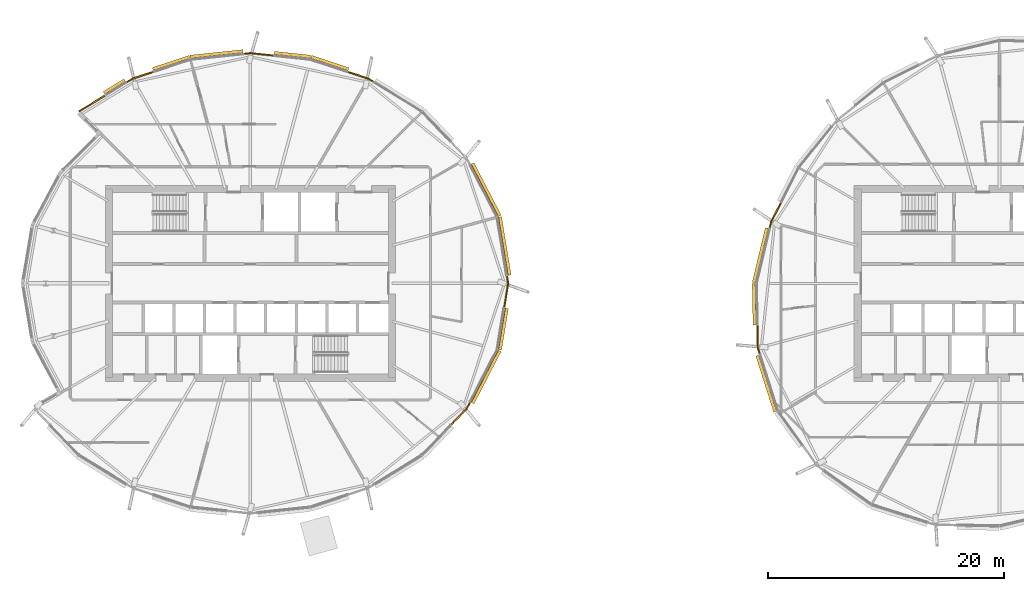
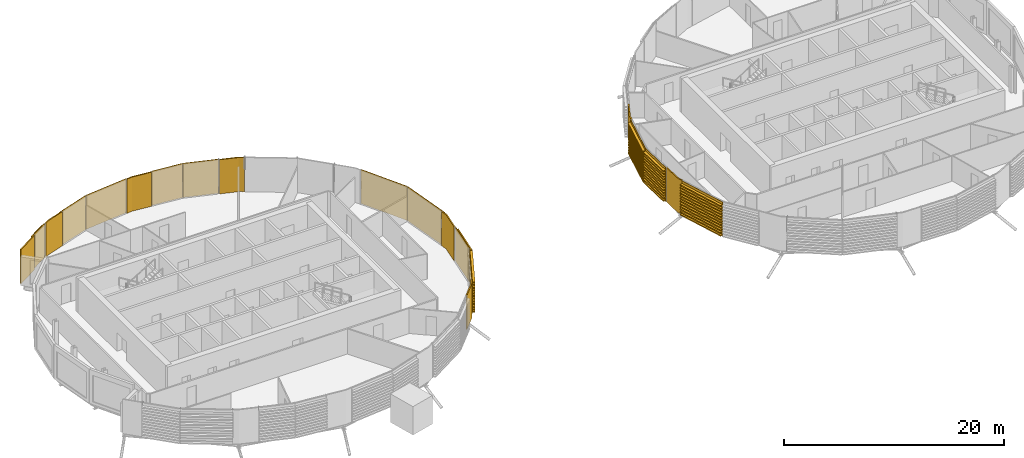
# One storey, part 35 of 38: 20 coverings.
"""IFC4 building model written with IfcOpenShell, lengths in metres."""

from ifc_helpers import new_model, si_unit, direction, frame, origin, place, context, subcontext, project, spatial, polyline, outline, extrude, material, layer, layer_set, material_profile, profile_set, type_object, element, save


model = new_model("IFC4")

# Units and contexts
model_context = context("Model", 3, precision=1e-05, world=origin(), true_north=direction((0.0, 1.0)))
body_context = subcontext(model_context, "Body", "Model", "MODEL_VIEW")
ifc_project = project(units=[si_unit("LENGTHUNIT", "METRE"), si_unit("AREAUNIT", "SQUARE_METRE"), si_unit("VOLUMEUNIT", "CUBIC_METRE"), si_unit("PLANEANGLEUNIT", "RADIAN"), si_unit("MASSUNIT", "GRAM", prefix="KILO")], contexts=[model_context])

# Site, building, storey
site_placement = place(None, origin())
site = spatial("IfcSite", under=ifc_project, at=site_placement, CompositionType="ELEMENT")
building_placement = place(site_placement, origin())
building = spatial("IfcBuilding", under=site, at=building_placement, Name="Rimbun Link Towers", CompositionType="ELEMENT")
storey_placement = place(building_placement, frame((0.0, 0.0, 185.5)))
storey = spatial("IfcBuildingStorey", under=building, at=storey_placement, Name="L45", CompositionType="ELEMENT", Elevation=185.5)

# Coverings
ifc_material_1 = material(Name="Terracotta", Category="masonry")
ifc_layer = layer(ifc_material_1, 0.1201171875)
ifc_layer_set = layer_set([ifc_layer], Name="LINK PIER terracotta cladding 120")
covering_type_1 = type_object("IfcCoveringType", Name="LINK PIER terracotta cladding 120", PredefinedType="CLADDING", material=ifc_layer_set)
covering_1_placement = place(storey_placement, origin())
element("IfcCovering", 1, at=covering_1_placement, inside=storey, type_object=covering_type_1, Name="LINK PIER cladding", PredefinedType="CLADDING", context=body_context, shape_type="SweptSolid", body=[
    extrude(outline(polyline([(-10.049560546875, 0.61181640625), (-9.948974609375, 0.0), (-10.284912109375, -2.04248046875), (-10.16650390625, -2.06201171875), (-9.827392578125, 0.0), (-9.93115234375, 0.63134765625), (-10.049560546875, 0.61181640625)])), origin(), (0.0, 0.0, 1.0), 3.800048828125),
])
covering_2_placement = place(storey_placement, origin())
element("IfcCovering", 2, at=covering_2_placement, inside=storey, type_object=covering_type_1, Name="LINK PIER cladding", PredefinedType="CLADDING", context=body_context, shape_type="SweptSolid", body=[
    extrude(outline(polyline([(-23.488525390625, 17.8740234375), (-21.760986328125, 17.301513671875), (-21.31787109375, 17.029541015625), (-21.2548828125, 17.1318359375), (-21.7099609375, 17.4111328125), (-23.45068359375, 17.988037109375), (-23.488525390625, 17.8740234375)])), origin(), (0.0, 0.0, 1.0), 3.800048828125),
])
covering_3_placement = place(storey_placement, origin())
element("IfcCovering", 3, at=covering_3_placement, inside=storey, type_object=covering_type_1, Name="LINK PIER cladding", PredefinedType="CLADDING", context=body_context, shape_type="SweptSolid", body=[
    extrude(outline(polyline([(-32.31689453125, 19.405517578125), (-31.75, 19.465087890625), (-29.790771484375, 19.2587890625), (-29.7783203125, 19.378173828125), (-31.75, 19.5859375), (-32.329345703125, 19.52490234375), (-32.31689453125, 19.405517578125)])), origin(), (0.0, 0.0, 1.0), 3.800048828125),
])
covering_4_placement = place(storey_placement, origin())
element("IfcCovering", 4, at=covering_4_placement, inside=storey, type_object=covering_type_1, Name="LINK PIER cladding", PredefinedType="CLADDING", context=body_context, shape_type="SweptSolid", body=[
    extrude(outline(polyline([(-46.244140625, 14.535400390625), (-44.037109375, 15.890625), (-44.099853515625, 15.992919921875), (-46.30712890625, 14.6376953125), (-46.244140625, 14.535400390625)])), origin(), (0.0, 0.0, 1.0), 3.800048828125),
])
covering_5_placement = place(storey_placement, origin())
element("IfcCovering", 5, at=covering_5_placement, inside=storey, type_object=covering_type_1, Name="LINK PIER cladding", PredefinedType="CLADDING", context=body_context, shape_type="SweptSolid", body=[
    extrude(outline(polyline([(-42.224853515625, 17.00341796875), (-41.739013671875, 17.301513671875), (-39.964111328125, 17.889892578125), (-40.001708984375, 18.003662109375), (-41.7900390625, 17.4111328125), (-42.28759765625, 17.105712890625), (-42.224853515625, 17.00341796875)])), origin(), (0.0, 0.0, 1.0), 3.800048828125),
])
covering_6_placement = place(storey_placement, origin())
element("IfcCovering", 6, at=covering_6_placement, inside=storey, type_object=covering_type_1, Name="LINK PIER cladding", PredefinedType="CLADDING", context=body_context, shape_type="SweptSolid", body=[
    extrude(outline(polyline([(-13.18115234375, -10.0634765625), (-13.443115234375, -10.569580078125), (-14.771728515625, -11.95556640625), (-14.68505859375, -12.03857421875), (-13.344482421875, -10.64013671875), (-13.074462890625, -10.118408203125), (-13.18115234375, -10.0634765625)])), origin(), (0.0, 0.0, 1.0), 3.800048828125),
])
covering_7_placement = place(storey_placement, origin())
element("IfcCovering", 7, at=covering_7_placement, inside=storey, type_object=covering_type_1, Name="LINK PIER cladding", PredefinedType="CLADDING", context=body_context, shape_type="SweptSolid", body=[
    extrude(outline(polyline([(12.33154296875, 4.6650390625), (12.452392578125, 5.170654296875), (13.291748046875, 6.841796875), (13.1845703125, 6.895751953125), (12.339111328125, 5.212158203125), (12.21484375, 4.69287109375), (12.33154296875, 4.6650390625)])), origin(), (0.0, 0.0, 1.0), 3.800048828125),
])
covering_8_placement = place(storey_placement, origin())
element("IfcCovering", 8, at=covering_8_placement, inside=storey, type_object=covering_type_1, Name="LINK PIER cladding", PredefinedType="CLADDING", context=body_context, shape_type="SweptSolid", body=[
    extrude(outline(polyline([(11.50390625, -6.014404296875), (11.331298828125, -5.47119140625), (11.290771484375, -3.551513671875), (11.170654296875, -3.55419921875), (11.211669921875, -5.490966796875), (11.3896484375, -6.05078125), (11.50390625, -6.014404296875)])), origin(), (0.0, 0.0, 1.0), 3.800048828125),
])
ifc_material_2 = material(Name="Terracotta", Category="masonry")
ifc_material_profile = material_profile(ifc_material_2, outline(polyline([(0.123046875, 0.0), (0.1630859375, 0.0), (0.1630859375, 0.10009765625), (0.423095703125, 0.10009765625), (0.423095703125, 0.219970703125), (0.1630859375, 0.219970703125), (0.1630859375, 0.39990234375), (0.423095703125, 0.39990234375), (0.423095703125, 0.52001953125), (0.1630859375, 0.52001953125), (0.1630859375, 0.699951171875), (0.423095703125, 0.699951171875), (0.423095703125, 0.820068359375), (0.1630859375, 0.820068359375), (0.1630859375, 1.0), (0.423095703125, 1.0), (0.423095703125, 1.1201171875), (0.1630859375, 1.1201171875), (0.1630859375, 1.300048828125), (0.423095703125, 1.300048828125), (0.423095703125, 1.419921875), (0.1630859375, 1.419921875), (0.1630859375, 1.60009765625), (0.423095703125, 1.60009765625), (0.423095703125, 1.719970703125), (0.1630859375, 1.719970703125), (0.1630859375, 1.89990234375), (0.423095703125, 1.89990234375), (0.423095703125, 2.02001953125), (0.1630859375, 2.02001953125), (0.1630859375, 2.199951171875), (0.423095703125, 2.199951171875), (0.423095703125, 2.320068359375), (0.1630859375, 2.320068359375), (0.1630859375, 2.5), (0.423095703125, 2.5), (0.423095703125, 2.6201171875), (0.1630859375, 2.6201171875), (0.1630859375, 2.800048828125), (0.423095703125, 2.800048828125), (0.423095703125, 2.919921875), (0.1630859375, 2.919921875), (0.1630859375, 3.10009765625), (0.423095703125, 3.10009765625), (0.423095703125, 3.219970703125), (0.1630859375, 3.219970703125), (0.1630859375, 3.39990234375), (0.423095703125, 3.39990234375), (0.423095703125, 3.52001953125), (0.1630859375, 3.52001953125), (0.1630859375, 3.800048828125), (0.123046875, 3.800048828125), (0.123046875, 0.0)])), Name="BAGUETTE 120X300")
ifc_profile_set = profile_set([ifc_material_profile], Name="Terracotta")
covering_type_2 = type_object("IfcCoveringType", Name="TERRACOTTA BAGUETTE 120X300 H3800", PredefinedType="CLADDING", material=ifc_profile_set)
covering_9_placement = place(storey_placement, frame((-10.868896484375, 5.594970703125, 0.0), z_axis=(0.162237736337, -0.986751699724, 0.0), x_axis=(0.986751699724, 0.162237736337, 0.0)))
element("IfcCovering", 9, at=covering_9_placement, inside=storey, type_object=covering_type_2, Name="TERRACOTTA BAGUETTE", PredefinedType="CLADDING", context=body_context, shape_type="SweptSolid", body=[
    extrude(outline(polyline([(0.123046875, 0.0), (0.1630859375, 0.0), (0.1630859375, 0.10009765625), (0.423095703125, 0.10009765625), (0.423095703125, 0.219970703125), (0.1630859375, 0.219970703125), (0.1630859375, 0.39990234375), (0.423095703125, 0.39990234375), (0.423095703125, 0.52001953125), (0.1630859375, 0.52001953125), (0.1630859375, 0.699951171875), (0.423095703125, 0.699951171875), (0.423095703125, 0.820068359375), (0.1630859375, 0.820068359375), (0.1630859375, 1.0), (0.423095703125, 1.0), (0.423095703125, 1.1201171875), (0.1630859375, 1.1201171875), (0.1630859375, 1.300048828125), (0.423095703125, 1.300048828125), (0.423095703125, 1.419921875), (0.1630859375, 1.419921875), (0.1630859375, 1.60009765625), (0.423095703125, 1.60009765625), (0.423095703125, 1.719970703125), (0.1630859375, 1.719970703125), (0.1630859375, 1.89990234375), (0.423095703125, 1.89990234375), (0.423095703125, 2.02001953125), (0.1630859375, 2.02001953125), (0.1630859375, 2.199951171875), (0.423095703125, 2.199951171875), (0.423095703125, 2.320068359375), (0.1630859375, 2.320068359375), (0.1630859375, 2.5), (0.423095703125, 2.5), (0.423095703125, 2.6201171875), (0.1630859375, 2.6201171875), (0.1630859375, 2.800048828125), (0.423095703125, 2.800048828125), (0.423095703125, 2.919921875), (0.1630859375, 2.919921875), (0.1630859375, 3.10009765625), (0.423095703125, 3.10009765625), (0.423095703125, 3.219970703125), (0.1630859375, 3.219970703125), (0.1630859375, 3.39990234375), (0.423095703125, 3.39990234375), (0.423095703125, 3.52001953125), (0.1630859375, 3.52001953125), (0.1630859375, 3.800048828125), (0.123046875, 3.800048828125), (0.123046875, 0.0)])), origin(), (0.0, 0.0, 1.0), 5.02001953125),
])
covering_10_placement = place(storey_placement, frame((-13.167236328125, 10.03662109375, 0.0), z_axis=(0.459570327506, -0.888141381806, 0.0), x_axis=(0.888141381806, 0.459570327506, 0.0)))
element("IfcCovering", 10, at=covering_10_placement, inside=storey, type_object=covering_type_2, Name="TERRACOTTA BAGUETTE", PredefinedType="CLADDING", context=body_context, shape_type="SweptSolid", body=[
    extrude(outline(polyline([(0.123046875, 0.0), (0.1630859375, 0.0), (0.1630859375, 0.10009765625), (0.423095703125, 0.10009765625), (0.423095703125, 0.219970703125), (0.1630859375, 0.219970703125), (0.1630859375, 0.39990234375), (0.423095703125, 0.39990234375), (0.423095703125, 0.52001953125), (0.1630859375, 0.52001953125), (0.1630859375, 0.699951171875), (0.423095703125, 0.699951171875), (0.423095703125, 0.820068359375), (0.1630859375, 0.820068359375), (0.1630859375, 1.0), (0.423095703125, 1.0), (0.423095703125, 1.1201171875), (0.1630859375, 1.1201171875), (0.1630859375, 1.300048828125), (0.423095703125, 1.300048828125), (0.423095703125, 1.419921875), (0.1630859375, 1.419921875), (0.1630859375, 1.60009765625), (0.423095703125, 1.60009765625), (0.423095703125, 1.719970703125), (0.1630859375, 1.719970703125), (0.1630859375, 1.89990234375), (0.423095703125, 1.89990234375), (0.423095703125, 2.02001953125), (0.1630859375, 2.02001953125), (0.1630859375, 2.199951171875), (0.423095703125, 2.199951171875), (0.423095703125, 2.320068359375), (0.1630859375, 2.320068359375), (0.1630859375, 2.5), (0.423095703125, 2.5), (0.423095703125, 2.6201171875), (0.1630859375, 2.6201171875), (0.1630859375, 2.800048828125), (0.423095703125, 2.800048828125), (0.423095703125, 2.919921875), (0.1630859375, 2.919921875), (0.1630859375, 3.10009765625), (0.423095703125, 3.10009765625), (0.423095703125, 3.219970703125), (0.1630859375, 3.219970703125), (0.1630859375, 3.39990234375), (0.423095703125, 3.39990234375), (0.423095703125, 3.52001953125), (0.1630859375, 3.52001953125), (0.1630859375, 3.800048828125), (0.123046875, 3.800048828125), (0.123046875, 0.0)])), origin(), (0.0, 0.0, 1.0), 5.0009765625),
])
covering_11_placement = place(storey_placement, frame((-26.677490234375, 18.930908203125, 0.0), z_axis=(0.949231823873, -0.314577406289, 0.0), x_axis=(0.314577406289, 0.949231823873, 0.0)))
element("IfcCovering", 11, at=covering_11_placement, inside=storey, type_object=covering_type_2, Name="TERRACOTTA BAGUETTE", PredefinedType="CLADDING", context=body_context, shape_type="SweptSolid", body=[
    extrude(outline(polyline([(0.123046875, 0.0), (0.1630859375, 0.0), (0.1630859375, 0.10009765625), (0.423095703125, 0.10009765625), (0.423095703125, 0.219970703125), (0.1630859375, 0.219970703125), (0.1630859375, 0.39990234375), (0.423095703125, 0.39990234375), (0.423095703125, 0.52001953125), (0.1630859375, 0.52001953125), (0.1630859375, 0.699951171875), (0.423095703125, 0.699951171875), (0.423095703125, 0.820068359375), (0.1630859375, 0.820068359375), (0.1630859375, 1.0), (0.423095703125, 1.0), (0.423095703125, 1.1201171875), (0.1630859375, 1.1201171875), (0.1630859375, 1.300048828125), (0.423095703125, 1.300048828125), (0.423095703125, 1.419921875), (0.1630859375, 1.419921875), (0.1630859375, 1.60009765625), (0.423095703125, 1.60009765625), (0.423095703125, 1.719970703125), (0.1630859375, 1.719970703125), (0.1630859375, 1.89990234375), (0.423095703125, 1.89990234375), (0.423095703125, 2.02001953125), (0.1630859375, 2.02001953125), (0.1630859375, 2.199951171875), (0.423095703125, 2.199951171875), (0.423095703125, 2.320068359375), (0.1630859375, 2.320068359375), (0.1630859375, 2.5), (0.423095703125, 2.5), (0.423095703125, 2.6201171875), (0.1630859375, 2.6201171875), (0.1630859375, 2.800048828125), (0.423095703125, 2.800048828125), (0.423095703125, 2.919921875), (0.1630859375, 2.919921875), (0.1630859375, 3.10009765625), (0.423095703125, 3.10009765625), (0.423095703125, 3.219970703125), (0.1630859375, 3.219970703125), (0.1630859375, 3.39990234375), (0.423095703125, 3.39990234375), (0.423095703125, 3.52001953125), (0.1630859375, 3.52001953125), (0.1630859375, 3.800048828125), (0.123046875, 3.800048828125), (0.123046875, 0.0)])), origin(), (0.0, 0.0, 1.0), 3.329345703125),
])
covering_12_placement = place(storey_placement, frame((-29.760986328125, 19.255615234375, 0.0), z_axis=(0.994501137491, -0.10472577299, 0.0), x_axis=(0.10472577299, 0.994501137491, 0.0)))
element("IfcCovering", 12, at=covering_12_placement, inside=storey, type_object=covering_type_2, Name="TERRACOTTA BAGUETTE", PredefinedType="CLADDING", context=body_context, shape_type="SweptSolid", body=[
    extrude(outline(polyline([(0.123046875, 0.0), (0.1630859375, 0.0), (0.1630859375, 0.10009765625), (0.423095703125, 0.10009765625), (0.423095703125, 0.219970703125), (0.1630859375, 0.219970703125), (0.1630859375, 0.39990234375), (0.423095703125, 0.39990234375), (0.423095703125, 0.52001953125), (0.1630859375, 0.52001953125), (0.1630859375, 0.699951171875), (0.423095703125, 0.699951171875), (0.423095703125, 0.820068359375), (0.1630859375, 0.820068359375), (0.1630859375, 1.0), (0.423095703125, 1.0), (0.423095703125, 1.1201171875), (0.1630859375, 1.1201171875), (0.1630859375, 1.300048828125), (0.423095703125, 1.300048828125), (0.423095703125, 1.419921875), (0.1630859375, 1.419921875), (0.1630859375, 1.60009765625), (0.423095703125, 1.60009765625), (0.423095703125, 1.719970703125), (0.1630859375, 1.719970703125), (0.1630859375, 1.89990234375), (0.423095703125, 1.89990234375), (0.423095703125, 2.02001953125), (0.1630859375, 2.02001953125), (0.1630859375, 2.199951171875), (0.423095703125, 2.199951171875), (0.423095703125, 2.320068359375), (0.1630859375, 2.320068359375), (0.1630859375, 2.5), (0.423095703125, 2.5), (0.423095703125, 2.6201171875), (0.1630859375, 2.6201171875), (0.1630859375, 2.800048828125), (0.423095703125, 2.800048828125), (0.423095703125, 2.919921875), (0.1630859375, 2.919921875), (0.1630859375, 3.10009765625), (0.423095703125, 3.10009765625), (0.423095703125, 3.219970703125), (0.1630859375, 3.219970703125), (0.1630859375, 3.39990234375), (0.423095703125, 3.39990234375), (0.423095703125, 3.52001953125), (0.1630859375, 3.52001953125), (0.1630859375, 3.800048828125), (0.123046875, 3.800048828125), (0.123046875, 0.0)])), origin(), (0.0, 0.0, 1.0), 3.1005859375),
])
covering_13_placement = place(storey_placement, frame((-36.822509765625, 18.930908203125, 0.0), z_axis=(0.994498614272, 0.104749731313, 0.0), x_axis=(-0.104749731313, 0.994498614272, 0.0)))
element("IfcCovering", 13, at=covering_13_placement, inside=storey, type_object=covering_type_2, Name="TERRACOTTA BAGUETTE", PredefinedType="CLADDING", context=body_context, shape_type="SweptSolid", body=[
    extrude(outline(polyline([(0.123046875, 0.0), (0.1630859375, 0.0), (0.1630859375, 0.10009765625), (0.423095703125, 0.10009765625), (0.423095703125, 0.219970703125), (0.1630859375, 0.219970703125), (0.1630859375, 0.39990234375), (0.423095703125, 0.39990234375), (0.423095703125, 0.52001953125), (0.1630859375, 0.52001953125), (0.1630859375, 0.699951171875), (0.423095703125, 0.699951171875), (0.423095703125, 0.820068359375), (0.1630859375, 0.820068359375), (0.1630859375, 1.0), (0.423095703125, 1.0), (0.423095703125, 1.1201171875), (0.1630859375, 1.1201171875), (0.1630859375, 1.300048828125), (0.423095703125, 1.300048828125), (0.423095703125, 1.419921875), (0.1630859375, 1.419921875), (0.1630859375, 1.60009765625), (0.423095703125, 1.60009765625), (0.423095703125, 1.719970703125), (0.1630859375, 1.719970703125), (0.1630859375, 1.89990234375), (0.423095703125, 1.89990234375), (0.423095703125, 2.02001953125), (0.1630859375, 2.02001953125), (0.1630859375, 2.199951171875), (0.423095703125, 2.199951171875), (0.423095703125, 2.320068359375), (0.1630859375, 2.320068359375), (0.1630859375, 2.5), (0.423095703125, 2.5), (0.423095703125, 2.6201171875), (0.1630859375, 2.6201171875), (0.1630859375, 2.800048828125), (0.423095703125, 2.800048828125), (0.423095703125, 2.919921875), (0.1630859375, 2.919921875), (0.1630859375, 3.10009765625), (0.423095703125, 3.10009765625), (0.423095703125, 3.219970703125), (0.1630859375, 3.219970703125), (0.1630859375, 3.39990234375), (0.423095703125, 3.39990234375), (0.423095703125, 3.52001953125), (0.1630859375, 3.52001953125), (0.1630859375, 3.800048828125), (0.123046875, 3.800048828125), (0.123046875, 0.0)])), origin(), (0.0, 0.0, 1.0), 4.50048828125),
])
covering_14_placement = place(storey_placement, frame((-39.935546875, 17.899169921875, 0.0), z_axis=(0.949225332625, 0.314596992838, 0.0), x_axis=(-0.314596992838, 0.949225332625, 0.0)))
element("IfcCovering", 14, at=covering_14_placement, inside=storey, type_object=covering_type_2, Name="TERRACOTTA BAGUETTE", PredefinedType="CLADDING", context=body_context, shape_type="SweptSolid", body=[
    extrude(outline(polyline([(0.123046875, 0.0), (0.1630859375, 0.0), (0.1630859375, 0.10009765625), (0.423095703125, 0.10009765625), (0.423095703125, 0.219970703125), (0.1630859375, 0.219970703125), (0.1630859375, 0.39990234375), (0.423095703125, 0.39990234375), (0.423095703125, 0.52001953125), (0.1630859375, 0.52001953125), (0.1630859375, 0.699951171875), (0.423095703125, 0.699951171875), (0.423095703125, 0.820068359375), (0.1630859375, 0.820068359375), (0.1630859375, 1.0), (0.423095703125, 1.0), (0.423095703125, 1.1201171875), (0.1630859375, 1.1201171875), (0.1630859375, 1.300048828125), (0.423095703125, 1.300048828125), (0.423095703125, 1.419921875), (0.1630859375, 1.419921875), (0.1630859375, 1.60009765625), (0.423095703125, 1.60009765625), (0.423095703125, 1.719970703125), (0.1630859375, 1.719970703125), (0.1630859375, 1.89990234375), (0.423095703125, 1.89990234375), (0.423095703125, 2.02001953125), (0.1630859375, 2.02001953125), (0.1630859375, 2.199951171875), (0.423095703125, 2.199951171875), (0.423095703125, 2.320068359375), (0.1630859375, 2.320068359375), (0.1630859375, 2.5), (0.423095703125, 2.5), (0.423095703125, 2.6201171875), (0.1630859375, 2.6201171875), (0.1630859375, 2.800048828125), (0.423095703125, 2.800048828125), (0.423095703125, 2.919921875), (0.1630859375, 2.919921875), (0.1630859375, 3.10009765625), (0.423095703125, 3.10009765625), (0.423095703125, 3.219970703125), (0.1630859375, 3.219970703125), (0.1630859375, 3.39990234375), (0.423095703125, 3.39990234375), (0.423095703125, 3.52001953125), (0.1630859375, 3.52001953125), (0.1630859375, 3.800048828125), (0.123046875, 3.800048828125), (0.123046875, 0.0)])), origin(), (0.0, 0.0, 1.0), 3.279541015625),
])
covering_15_placement = place(storey_placement, frame((-44.011474609375, 15.90625, 0.0), z_axis=(0.85217307419, 0.523260022957, 0.0), x_axis=(-0.523260022957, 0.85217307419, 0.0)))
element("IfcCovering", 15, at=covering_15_placement, inside=storey, type_object=covering_type_2, Name="TERRACOTTA BAGUETTE", PredefinedType="CLADDING", context=body_context, shape_type="SweptSolid", body=[
    extrude(outline(polyline([(0.123046875, 0.0), (0.1630859375, 0.0), (0.1630859375, 0.10009765625), (0.423095703125, 0.10009765625), (0.423095703125, 0.219970703125), (0.1630859375, 0.219970703125), (0.1630859375, 0.39990234375), (0.423095703125, 0.39990234375), (0.423095703125, 0.52001953125), (0.1630859375, 0.52001953125), (0.1630859375, 0.699951171875), (0.423095703125, 0.699951171875), (0.423095703125, 0.820068359375), (0.1630859375, 0.820068359375), (0.1630859375, 1.0), (0.423095703125, 1.0), (0.423095703125, 1.1201171875), (0.1630859375, 1.1201171875), (0.1630859375, 1.300048828125), (0.423095703125, 1.300048828125), (0.423095703125, 1.419921875), (0.1630859375, 1.419921875), (0.1630859375, 1.60009765625), (0.423095703125, 1.60009765625), (0.423095703125, 1.719970703125), (0.1630859375, 1.719970703125), (0.1630859375, 1.89990234375), (0.423095703125, 1.89990234375), (0.423095703125, 2.02001953125), (0.1630859375, 2.02001953125), (0.1630859375, 2.199951171875), (0.423095703125, 2.199951171875), (0.423095703125, 2.320068359375), (0.1630859375, 2.320068359375), (0.1630859375, 2.5), (0.423095703125, 2.5), (0.423095703125, 2.6201171875), (0.1630859375, 2.6201171875), (0.1630859375, 2.800048828125), (0.423095703125, 2.800048828125), (0.423095703125, 2.919921875), (0.1630859375, 2.919921875), (0.1630859375, 3.10009765625), (0.423095703125, 3.10009765625), (0.423095703125, 3.219970703125), (0.1630859375, 3.219970703125), (0.1630859375, 3.39990234375), (0.423095703125, 3.39990234375), (0.423095703125, 3.52001953125), (0.1630859375, 3.52001953125), (0.1630859375, 3.800048828125), (0.123046875, 3.800048828125), (0.123046875, 0.0)])), origin(), (0.0, 0.0, 1.0), 2.06640625),
])
covering_16_placement = place(storey_placement, frame((-10.868896484375, -5.594970703125, 0.0), z_axis=(-0.459570327506, -0.888141381806, 0.0), x_axis=(0.888141381806, -0.459570327506, 0.0)))
element("IfcCovering", 16, at=covering_16_placement, inside=storey, type_object=covering_type_2, Name="TERRACOTTA BAGUETTE", PredefinedType="CLADDING", context=body_context, shape_type="SweptSolid", body=[
    extrude(outline(polyline([(0.123046875, 0.0), (0.1630859375, 0.0), (0.1630859375, 0.10009765625), (0.423095703125, 0.10009765625), (0.423095703125, 0.219970703125), (0.1630859375, 0.219970703125), (0.1630859375, 0.39990234375), (0.423095703125, 0.39990234375), (0.423095703125, 0.52001953125), (0.1630859375, 0.52001953125), (0.1630859375, 0.699951171875), (0.423095703125, 0.699951171875), (0.423095703125, 0.820068359375), (0.1630859375, 0.820068359375), (0.1630859375, 1.0), (0.423095703125, 1.0), (0.423095703125, 1.1201171875), (0.1630859375, 1.1201171875), (0.1630859375, 1.300048828125), (0.423095703125, 1.300048828125), (0.423095703125, 1.419921875), (0.1630859375, 1.419921875), (0.1630859375, 1.60009765625), (0.423095703125, 1.60009765625), (0.423095703125, 1.719970703125), (0.1630859375, 1.719970703125), (0.1630859375, 1.89990234375), (0.423095703125, 1.89990234375), (0.423095703125, 2.02001953125), (0.1630859375, 2.02001953125), (0.1630859375, 2.199951171875), (0.423095703125, 2.199951171875), (0.423095703125, 2.320068359375), (0.1630859375, 2.320068359375), (0.1630859375, 2.5), (0.423095703125, 2.5), (0.423095703125, 2.6201171875), (0.1630859375, 2.6201171875), (0.1630859375, 2.800048828125), (0.423095703125, 2.800048828125), (0.423095703125, 2.919921875), (0.1630859375, 2.919921875), (0.1630859375, 3.10009765625), (0.423095703125, 3.10009765625), (0.423095703125, 3.219970703125), (0.1630859375, 3.219970703125), (0.1630859375, 3.39990234375), (0.423095703125, 3.39990234375), (0.423095703125, 3.52001953125), (0.1630859375, 3.52001953125), (0.1630859375, 3.800048828125), (0.123046875, 3.800048828125), (0.123046875, 0.0)])), origin(), (0.0, 0.0, 1.0), 5.0009765625),
])
covering_17_placement = place(storey_placement, frame((-10.289794921875, -2.072265625, 0.0), z_axis=(-0.16221389757, -0.986755618902, 0.0), x_axis=(0.986755618902, -0.16221389757, 0.0)))
element("IfcCovering", 17, at=covering_17_placement, inside=storey, type_object=covering_type_2, Name="TERRACOTTA BAGUETTE", PredefinedType="CLADDING", context=body_context, shape_type="SweptSolid", body=[
    extrude(outline(polyline([(0.123046875, 0.0), (0.1630859375, 0.0), (0.1630859375, 0.10009765625), (0.423095703125, 0.10009765625), (0.423095703125, 0.219970703125), (0.1630859375, 0.219970703125), (0.1630859375, 0.39990234375), (0.423095703125, 0.39990234375), (0.423095703125, 0.52001953125), (0.1630859375, 0.52001953125), (0.1630859375, 0.699951171875), (0.423095703125, 0.699951171875), (0.423095703125, 0.820068359375), (0.1630859375, 0.820068359375), (0.1630859375, 1.0), (0.423095703125, 1.0), (0.423095703125, 1.1201171875), (0.1630859375, 1.1201171875), (0.1630859375, 1.300048828125), (0.423095703125, 1.300048828125), (0.423095703125, 1.419921875), (0.1630859375, 1.419921875), (0.1630859375, 1.60009765625), (0.423095703125, 1.60009765625), (0.423095703125, 1.719970703125), (0.1630859375, 1.719970703125), (0.1630859375, 1.89990234375), (0.423095703125, 1.89990234375), (0.423095703125, 2.02001953125), (0.1630859375, 2.02001953125), (0.1630859375, 2.199951171875), (0.423095703125, 2.199951171875), (0.423095703125, 2.320068359375), (0.1630859375, 2.320068359375), (0.1630859375, 2.5), (0.423095703125, 2.5), (0.423095703125, 2.6201171875), (0.1630859375, 2.6201171875), (0.1630859375, 2.800048828125), (0.423095703125, 2.800048828125), (0.423095703125, 2.919921875), (0.1630859375, 2.919921875), (0.1630859375, 3.10009765625), (0.423095703125, 3.10009765625), (0.423095703125, 3.219970703125), (0.1630859375, 3.219970703125), (0.1630859375, 3.39990234375), (0.423095703125, 3.39990234375), (0.423095703125, 3.52001953125), (0.1630859375, 3.52001953125), (0.1630859375, 3.800048828125), (0.123046875, 3.800048828125), (0.123046875, 0.0)])), origin(), (0.0, 0.0, 1.0), 3.570068359375),
])
covering_18_placement = place(storey_placement, frame((11.2158203125, 0.0, 0.0), z_axis=(0.232592171851, 0.972574357874, 0.0), x_axis=(-0.972574357874, 0.232592171851, 0.0)))
element("IfcCovering", 18, at=covering_18_placement, inside=storey, type_object=covering_type_2, Name="TERRACOTTA BAGUETTE", PredefinedType="CLADDING", context=body_context, shape_type="SweptSolid", body=[
    extrude(outline(polyline([(0.123046875, 0.0), (0.1630859375, 0.0), (0.1630859375, 0.10009765625), (0.423095703125, 0.10009765625), (0.423095703125, 0.219970703125), (0.1630859375, 0.219970703125), (0.1630859375, 0.39990234375), (0.423095703125, 0.39990234375), (0.423095703125, 0.52001953125), (0.1630859375, 0.52001953125), (0.1630859375, 0.699951171875), (0.423095703125, 0.699951171875), (0.423095703125, 0.820068359375), (0.1630859375, 0.820068359375), (0.1630859375, 1.0), (0.423095703125, 1.0), (0.423095703125, 1.1201171875), (0.1630859375, 1.1201171875), (0.1630859375, 1.300048828125), (0.423095703125, 1.300048828125), (0.423095703125, 1.419921875), (0.1630859375, 1.419921875), (0.1630859375, 1.60009765625), (0.423095703125, 1.60009765625), (0.423095703125, 1.719970703125), (0.1630859375, 1.719970703125), (0.1630859375, 1.89990234375), (0.423095703125, 1.89990234375), (0.423095703125, 2.02001953125), (0.1630859375, 2.02001953125), (0.1630859375, 2.199951171875), (0.423095703125, 2.199951171875), (0.423095703125, 2.320068359375), (0.1630859375, 2.320068359375), (0.1630859375, 2.5), (0.423095703125, 2.5), (0.423095703125, 2.6201171875), (0.1630859375, 2.6201171875), (0.1630859375, 2.800048828125), (0.423095703125, 2.800048828125), (0.423095703125, 2.919921875), (0.1630859375, 2.919921875), (0.1630859375, 3.10009765625), (0.423095703125, 3.10009765625), (0.423095703125, 3.219970703125), (0.1630859375, 3.219970703125), (0.1630859375, 3.39990234375), (0.423095703125, 3.39990234375), (0.423095703125, 3.52001953125), (0.1630859375, 3.52001953125), (0.1630859375, 3.800048828125), (0.123046875, 3.800048828125), (0.123046875, 0.0)])), origin(), (0.0, 0.0, 1.0), 4.766357421875),
])
covering_19_placement = place(storey_placement, frame((11.2900390625, -3.521728515625, 0.0), z_axis=(-0.021069844983, 0.999778006176, 0.0), x_axis=(-0.999778006176, -0.021069844983, 0.0)))
element("IfcCovering", 19, at=covering_19_placement, inside=storey, type_object=covering_type_2, Name="TERRACOTTA BAGUETTE", PredefinedType="CLADDING", context=body_context, shape_type="SweptSolid", body=[
    extrude(outline(polyline([(0.123046875, 0.0), (0.1630859375, 0.0), (0.1630859375, 0.10009765625), (0.423095703125, 0.10009765625), (0.423095703125, 0.219970703125), (0.1630859375, 0.219970703125), (0.1630859375, 0.39990234375), (0.423095703125, 0.39990234375), (0.423095703125, 0.52001953125), (0.1630859375, 0.52001953125), (0.1630859375, 0.699951171875), (0.423095703125, 0.699951171875), (0.423095703125, 0.820068359375), (0.1630859375, 0.820068359375), (0.1630859375, 1.0), (0.423095703125, 1.0), (0.423095703125, 1.1201171875), (0.1630859375, 1.1201171875), (0.1630859375, 1.300048828125), (0.423095703125, 1.300048828125), (0.423095703125, 1.419921875), (0.1630859375, 1.419921875), (0.1630859375, 1.60009765625), (0.423095703125, 1.60009765625), (0.423095703125, 1.719970703125), (0.1630859375, 1.719970703125), (0.1630859375, 1.89990234375), (0.423095703125, 1.89990234375), (0.423095703125, 2.02001953125), (0.1630859375, 2.02001953125), (0.1630859375, 2.199951171875), (0.423095703125, 2.199951171875), (0.423095703125, 2.320068359375), (0.1630859375, 2.320068359375), (0.1630859375, 2.5), (0.423095703125, 2.5), (0.423095703125, 2.6201171875), (0.1630859375, 2.6201171875), (0.1630859375, 2.800048828125), (0.423095703125, 2.800048828125), (0.423095703125, 2.919921875), (0.1630859375, 2.919921875), (0.1630859375, 3.10009765625), (0.423095703125, 3.10009765625), (0.423095703125, 3.219970703125), (0.1630859375, 3.219970703125), (0.1630859375, 3.39990234375), (0.423095703125, 3.39990234375), (0.423095703125, 3.52001953125), (0.1630859375, 3.52001953125), (0.1630859375, 3.800048828125), (0.123046875, 3.800048828125), (0.123046875, 0.0)])), origin(), (0.0, 0.0, 1.0), 3.5224609375),
])
covering_20_placement = place(storey_placement, frame((13.028564453125, -10.808837890625, 0.0), z_axis=(-0.303060589461, 0.952971289765, 0.0), x_axis=(-0.952971289765, -0.303060589461, 0.0)))
element("IfcCovering", 20, at=covering_20_placement, inside=storey, type_object=covering_type_2, Name="TERRACOTTA BAGUETTE", PredefinedType="CLADDING", context=body_context, shape_type="SweptSolid", body=[
    extrude(outline(polyline([(0.123046875, 0.0), (0.1630859375, 0.0), (0.1630859375, 0.10009765625), (0.423095703125, 0.10009765625), (0.423095703125, 0.219970703125), (0.1630859375, 0.219970703125), (0.1630859375, 0.39990234375), (0.423095703125, 0.39990234375), (0.423095703125, 0.52001953125), (0.1630859375, 0.52001953125), (0.1630859375, 0.699951171875), (0.423095703125, 0.699951171875), (0.423095703125, 0.820068359375), (0.1630859375, 0.820068359375), (0.1630859375, 1.0), (0.423095703125, 1.0), (0.423095703125, 1.1201171875), (0.1630859375, 1.1201171875), (0.1630859375, 1.300048828125), (0.423095703125, 1.300048828125), (0.423095703125, 1.419921875), (0.1630859375, 1.419921875), (0.1630859375, 1.60009765625), (0.423095703125, 1.60009765625), (0.423095703125, 1.719970703125), (0.1630859375, 1.719970703125), (0.1630859375, 1.89990234375), (0.423095703125, 1.89990234375), (0.423095703125, 2.02001953125), (0.1630859375, 2.02001953125), (0.1630859375, 2.199951171875), (0.423095703125, 2.199951171875), (0.423095703125, 2.320068359375), (0.1630859375, 2.320068359375), (0.1630859375, 2.5), (0.423095703125, 2.5), (0.423095703125, 2.6201171875), (0.1630859375, 2.6201171875), (0.1630859375, 2.800048828125), (0.423095703125, 2.800048828125), (0.423095703125, 2.919921875), (0.1630859375, 2.919921875), (0.1630859375, 3.10009765625), (0.423095703125, 3.10009765625), (0.423095703125, 3.219970703125), (0.1630859375, 3.219970703125), (0.1630859375, 3.39990234375), (0.423095703125, 3.39990234375), (0.423095703125, 3.52001953125), (0.1630859375, 3.52001953125), (0.1630859375, 3.800048828125), (0.123046875, 3.800048828125), (0.123046875, 0.0)])), origin(), (0.0, 0.0, 1.0), 5.0009765625),
])

save(model, "model.ifc")
